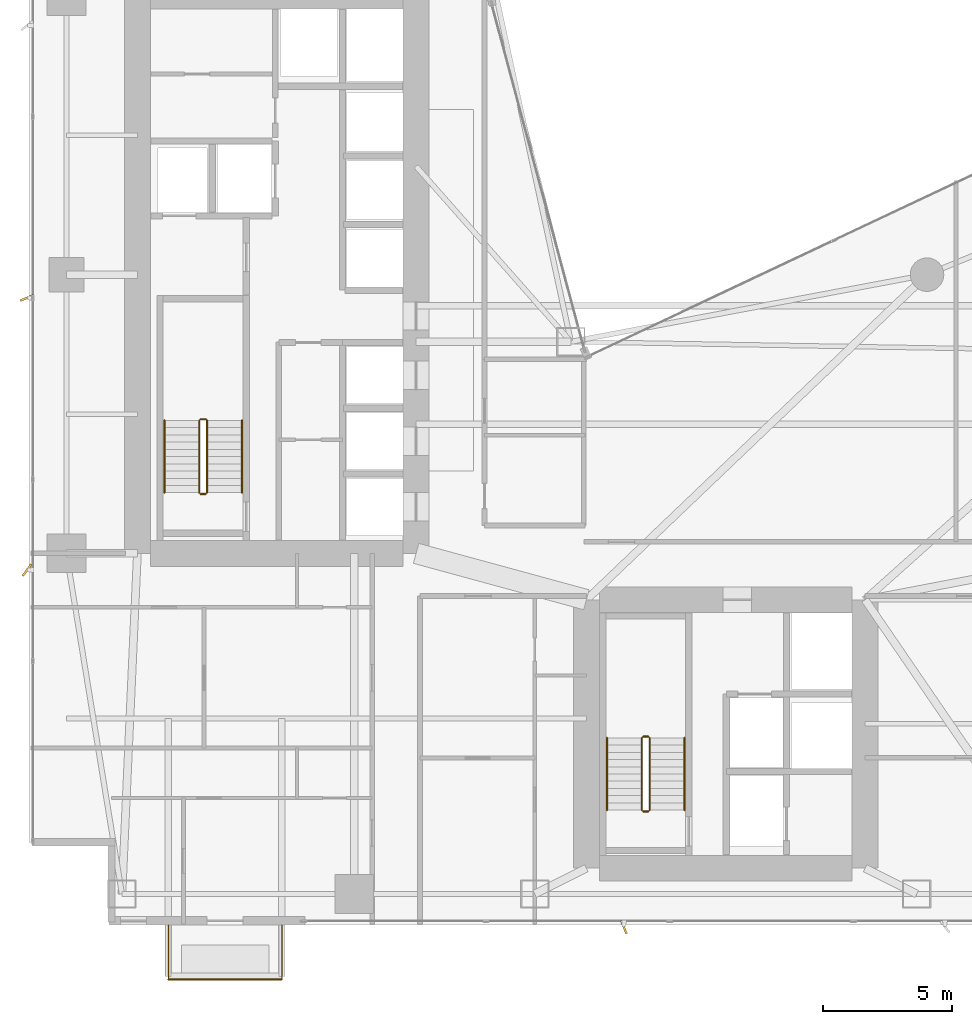
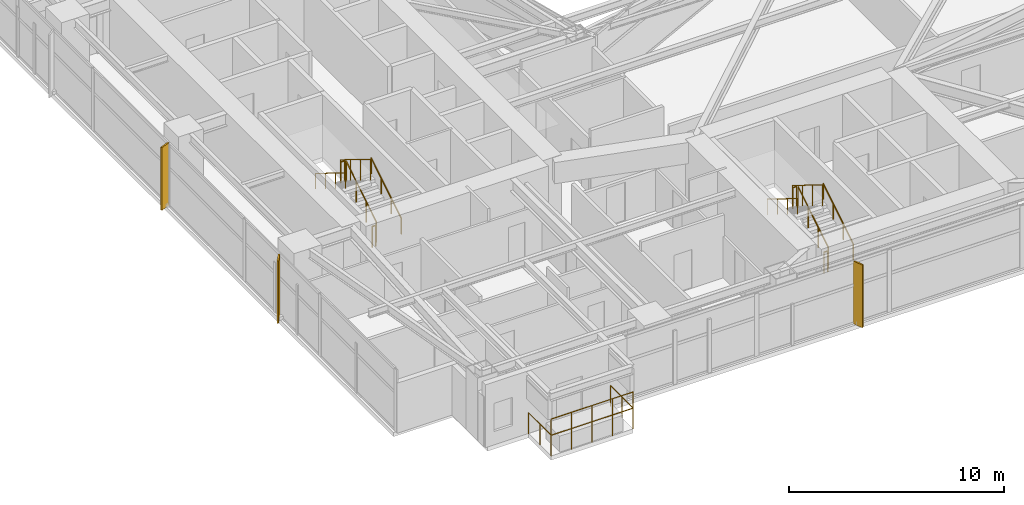
# One storey, part 28 of 29: 14 railings, 3 shading devices.
"""IFC4 building model written with IfcOpenShell, lengths in metres."""

from ifc_helpers import new_model, si_unit, direction, frame, origin, origin_2d, place, context, subcontext, project, spatial, rectangle, circle, extrude, material, type_object, element, save


model = new_model("IFC4")

# Units and contexts
model_context = context("Model", 3, precision=1e-05, world=origin(), true_north=direction((0.0, 1.0)))
body_context = subcontext(model_context, "Body", "Model", "MODEL_VIEW")
ifc_project = project(units=[si_unit("LENGTHUNIT", "METRE"), si_unit("AREAUNIT", "SQUARE_METRE"), si_unit("VOLUMEUNIT", "CUBIC_METRE"), si_unit("PLANEANGLEUNIT", "RADIAN"), si_unit("MASSUNIT", "GRAM", prefix="KILO")], contexts=[model_context])

# Site, building, storey
site_placement = place(None, origin())
site = spatial("IfcSite", under=ifc_project, at=site_placement, CompositionType="ELEMENT")
building_placement = place(site_placement, origin())
building = spatial("IfcBuilding", under=site, at=building_placement, Name="Calvorn Quay Hotel", CompositionType="ELEMENT")
storey_placement = place(building_placement, frame((0.0, 0.0, 66.0)))
storey = spatial("IfcBuildingStorey", under=building, at=storey_placement, Name="L15", CompositionType="ELEMENT", Elevation=66.0)

# Railings
ifc_material_1 = material(Name="Pale Anodised Aluminium and Laminated Glass", Category="aluminium")
railing_type_1 = type_object("IfcRailingType", Name="RLG-BALUSTRADE-1200", PredefinedType="BALUSTRADE", material=ifc_material_1)
railing_1_placement = place(storey_placement, frame((5.39990234375, 2.389892578125, 0.0)))
element("IfcRailing", 1, at=railing_1_placement, inside=storey, type_object=railing_type_1, Name="Tree Balcony Perimeter Balustrade L15-BALC-S", PredefinedType="BALUSTRADE", context=body_context, shape_type="SweptSolid", body=[
    extrude(circle(Radius=0.02392578125, at=origin_2d()), frame((0.0, 0.0, 1.17578125), z_axis=(0.0, -1.0, 0.0), x_axis=(1.0, 0.0, 0.0)), (0.0, 0.0, 1.0), 2.099853515625),
    extrude(circle(Radius=0.02392578125, at=origin_2d()), frame((0.0, -2.099853515625, 1.17578125), z_axis=(1.0, 0.0, 0.0), x_axis=(0.0, 1.0, 0.0)), (0.0, 0.0, 1.0), 4.400146484375),
    extrude(circle(Radius=0.02392578125, at=origin_2d()), frame((4.400146484375, -2.099853515625, 1.17578125), z_axis=(0.0, 1.0, 0.0), x_axis=(-1.0, 0.0, 0.0)), (0.0, 0.0, 1.0), 2.099853515625),
    extrude(circle(Radius=0.02099609375, at=origin_2d()), origin(), (0.0, 0.0, 1.0), 1.15185546875),
    extrude(circle(Radius=0.02099609375, at=origin_2d()), frame((0.0, -1.0498046875, 0.0)), (0.0, 0.0, 1.0), 1.15185546875),
    extrude(circle(Radius=0.02099609375, at=origin_2d()), frame((0.0, -2.099853515625, 0.0)), (0.0, 0.0, 1.0), 1.15185546875),
    extrude(circle(Radius=0.02099609375, at=origin_2d()), frame((1.10009765625, -2.099853515625, 0.0)), (0.0, 0.0, 1.0), 1.15185546875),
    extrude(circle(Radius=0.02099609375, at=origin_2d()), frame((2.2001953125, -2.099853515625, 0.0)), (0.0, 0.0, 1.0), 1.15185546875),
    extrude(circle(Radius=0.02099609375, at=origin_2d()), frame((3.300048828125, -2.099853515625, 0.0)), (0.0, 0.0, 1.0), 1.15185546875),
    extrude(circle(Radius=0.02099609375, at=origin_2d()), frame((4.400146484375, -2.099853515625, 0.0)), (0.0, 0.0, 1.0), 1.15185546875),
    extrude(circle(Radius=0.02099609375, at=origin_2d()), frame((4.400146484375, -1.0498046875, 0.0)), (0.0, 0.0, 1.0), 1.15185546875),
    extrude(circle(Radius=0.02099609375, at=origin_2d()), frame((4.400146484375, 0.0, 0.0)), (0.0, 0.0, 1.0), 1.15185546875),
])
railing_2_placement = place(storey_placement, frame((5.39990234375, 0.2900390625, 0.89990234375)))
element("IfcRailing", 2, at=railing_2_placement, inside=storey, type_object=railing_type_1, Name="Planter Kerb High Safety Screen L15-BALC-S", PredefinedType="BALUSTRADE", context=body_context, shape_type="SweptSolid", body=[
    extrude(circle(Radius=0.02392578125, at=origin_2d()), frame((0.0, 0.0, 1.19580078125), z_axis=(1.0, 0.0, 0.0), x_axis=(0.0, 1.0, 0.0)), (0.0, 0.0, 1.0), 4.400146484375),
    extrude(circle(Radius=0.02099609375, at=origin_2d()), origin(), (0.0, 0.0, 1.0), 1.171875),
    extrude(circle(Radius=0.02099609375, at=origin_2d()), frame((1.10009765625, 0.0, 0.0)), (0.0, 0.0, 1.0), 1.171875),
    extrude(circle(Radius=0.02099609375, at=origin_2d()), frame((2.2001953125, 0.0, 0.0)), (0.0, 0.0, 1.0), 1.171875),
    extrude(circle(Radius=0.02099609375, at=origin_2d()), frame((3.300048828125, 0.0, 0.0)), (0.0, 0.0, 1.0), 1.171875),
    extrude(circle(Radius=0.02099609375, at=origin_2d()), frame((4.400146484375, 0.0, 0.0)), (0.0, 0.0, 1.0), 1.171875),
])
ifc_material_2 = material(Name="Brushed Stainless Steel Handrail", Category="steel")
railing_type_2 = type_object("IfcRailingType", Name="RLG-HANDRAIL-900", PredefinedType="HANDRAIL", material=ifc_material_2)
railing_3_placement = place(storey_placement, frame((8.25, 19.14990234375, 0.172607421875)))
element("IfcRailing", 3, at=railing_3_placement, inside=storey, type_object=railing_type_2, Name="L15 ST-W stair handrail 1", PredefinedType="HANDRAIL", context=body_context, shape_type="SweptSolid", body=[
    extrude(circle(Radius=0.02392578125, at=origin_2d()), frame((0.0, 0.0, 0.8759765625), z_axis=(0.0, 0.851089632645, 0.525020415988), x_axis=(-1.0, 0.0, 0.0)), (0.0, 0.0, 1.0), 3.2900390625),
    extrude(circle(Radius=0.02099609375, at=origin_2d()), origin(), (0.0, 0.0, 1.0), 0.851806640625),
    extrude(circle(Radius=0.02099609375, at=origin_2d()), frame((0.0, 0.933349609375, 0.57568359375)), (0.0, 0.0, 1.0), 0.851806640625),
    extrude(circle(Radius=0.02099609375, at=origin_2d()), frame((0.0, 1.86669921875, 1.151611328125)), (0.0, 0.0, 1.0), 0.851806640625),
    extrude(circle(Radius=0.02099609375, at=origin_2d()), frame((0.0, 2.800048828125, 1.727294921875)), (0.0, 0.0, 1.0), 0.851806640625),
])
railing_4_placement = place(storey_placement, frame((5.25, 21.949951171875, 2.07275390625)))
element("IfcRailing", 4, at=railing_4_placement, inside=storey, type_object=railing_type_2, Name="L15 ST-W stair handrail 2", PredefinedType="HANDRAIL", context=body_context, shape_type="SweptSolid", body=[
    extrude(circle(Radius=0.02392578125, at=origin_2d()), frame((0.0, 0.0, 0.8759765625), z_axis=(0.0, -0.851089632645, 0.525020415988), x_axis=(1.0, 0.0, 0.0)), (0.0, 0.0, 1.0), 3.2900390625),
    extrude(circle(Radius=0.02099609375, at=origin_2d()), origin(), (0.0, 0.0, 1.0), 0.851806640625),
    extrude(circle(Radius=0.02099609375, at=origin_2d()), frame((0.0, -0.933349609375, 0.57568359375)), (0.0, 0.0, 1.0), 0.851806640625),
    extrude(circle(Radius=0.02099609375, at=origin_2d()), frame((0.0, -1.86669921875, 1.151611328125)), (0.0, 0.0, 1.0), 0.851806640625),
    extrude(circle(Radius=0.02099609375, at=origin_2d()), frame((0.0, -2.800048828125, 1.727294921875)), (0.0, 0.0, 1.0), 0.851806640625),
])
railing_5_placement = place(storey_placement, frame((25.39990234375, 6.85009765625, 0.172607421875)))
element("IfcRailing", 5, at=railing_5_placement, inside=storey, type_object=railing_type_2, Name="L15 ST-E stair handrail 1", PredefinedType="HANDRAIL", context=body_context, shape_type="SweptSolid", body=[
    extrude(circle(Radius=0.02392578125, at=origin_2d()), frame((0.0, 0.0, 0.8759765625), z_axis=(0.0, 0.851069175582, 0.525053576669), x_axis=(-1.0, 0.0, 0.0)), (0.0, 0.0, 1.0), 3.289794921875),
    extrude(circle(Radius=0.02099609375, at=origin_2d()), origin(), (0.0, 0.0, 1.0), 0.851806640625),
    extrude(circle(Radius=0.02099609375, at=origin_2d()), frame((0.0, 0.933349609375, 0.57568359375)), (0.0, 0.0, 1.0), 0.851806640625),
    extrude(circle(Radius=0.02099609375, at=origin_2d()), frame((0.0, 1.866455078125, 1.151611328125)), (0.0, 0.0, 1.0), 0.851806640625),
    extrude(circle(Radius=0.02099609375, at=origin_2d()), frame((0.0, 2.7998046875, 1.727294921875)), (0.0, 0.0, 1.0), 0.851806640625),
])
railing_6_placement = place(storey_placement, frame((22.39990234375, 9.64990234375, 2.07275390625)))
element("IfcRailing", 6, at=railing_6_placement, inside=storey, type_object=railing_type_2, Name="L15 ST-E stair handrail 2", PredefinedType="HANDRAIL", context=body_context, shape_type="SweptSolid", body=[
    extrude(circle(Radius=0.02392578125, at=origin_2d()), frame((0.0, 0.0, 0.8759765625), z_axis=(0.0, -0.851069175582, 0.525053576669), x_axis=(1.0, 0.0, 0.0)), (0.0, 0.0, 1.0), 3.289794921875),
    extrude(circle(Radius=0.02099609375, at=origin_2d()), origin(), (0.0, 0.0, 1.0), 0.851806640625),
    extrude(circle(Radius=0.02099609375, at=origin_2d()), frame((0.0, -0.933349609375, 0.57568359375)), (0.0, 0.0, 1.0), 0.851806640625),
    extrude(circle(Radius=0.02099609375, at=origin_2d()), frame((0.0, -1.866455078125, 1.151611328125)), (0.0, 0.0, 1.0), 0.851806640625),
    extrude(circle(Radius=0.02099609375, at=origin_2d()), frame((0.0, -2.7998046875, 1.727294921875)), (0.0, 0.0, 1.0), 0.851806640625),
])
ifc_material_3 = material(Name="Painted Galvanised Steel Balustrade", Category="steel")
railing_type_3 = type_object("IfcRailingType", Name="RLG-STAIR-GUARD-1120", PredefinedType="GUARDRAIL", material=ifc_material_3)
railing_7_placement = place(storey_placement, frame((6.89990234375, 19.14990234375, 0.172607421875)))
element("IfcRailing", 7, at=railing_7_placement, inside=storey, type_object=railing_type_3, Name="L15 ST-W stair guard 1", PredefinedType="GUARDRAIL", context=body_context, shape_type="SweptSolid", body=[
    extrude(circle(Radius=0.02392578125, at=origin_2d()), frame((0.0, 0.0, 1.17578125), z_axis=(0.0, 0.851089632645, 0.525020415988), x_axis=(-1.0, 0.0, 0.0)), (0.0, 0.0, 1.0), 3.2900390625),
    extrude(circle(Radius=0.02099609375, at=origin_2d()), origin(), (0.0, 0.0, 1.0), 1.15185546875),
    extrude(circle(Radius=0.02099609375, at=origin_2d()), frame((0.0, 0.933349609375, 0.57568359375)), (0.0, 0.0, 1.0), 1.15185546875),
    extrude(circle(Radius=0.02099609375, at=origin_2d()), frame((0.0, 1.86669921875, 1.151611328125)), (0.0, 0.0, 1.0), 1.15185546875),
    extrude(circle(Radius=0.02099609375, at=origin_2d()), frame((0.0, 2.800048828125, 1.727294921875)), (0.0, 0.0, 1.0), 1.15185546875),
])
railing_8_placement = place(storey_placement, frame((6.85009765625, 22.0, 1.89990234375)))
element("IfcRailing", 8, at=railing_8_placement, inside=storey, type_object=railing_type_3, Name="L15 ST-W stair guard 2", PredefinedType="GUARDRAIL", context=body_context, shape_type="SweptSolid", body=[
    extrude(circle(Radius=0.02392578125, at=origin_2d()), frame((0.0, 0.0, 1.17578125), z_axis=(-1.0, 0.0, 0.0), x_axis=(0.0, -1.0, 0.0)), (0.0, 0.0, 1.0), 0.2001953125),
    extrude(circle(Radius=0.02099609375, at=origin_2d()), origin(), (0.0, 0.0, 1.0), 1.15185546875),
    extrude(circle(Radius=0.02099609375, at=origin_2d()), frame((-0.2001953125, 0.0, 0.0)), (0.0, 0.0, 1.0), 1.15185546875),
])
railing_9_placement = place(storey_placement, frame((6.60009765625, 21.949951171875, 2.07275390625)))
element("IfcRailing", 9, at=railing_9_placement, inside=storey, type_object=railing_type_3, Name="L15 ST-W stair guard 3", PredefinedType="GUARDRAIL", context=body_context, shape_type="SweptSolid", body=[
    extrude(circle(Radius=0.02392578125, at=origin_2d()), frame((0.0, 0.0, 1.17578125), z_axis=(0.0, -0.851089632645, 0.525020415988), x_axis=(1.0, 0.0, 0.0)), (0.0, 0.0, 1.0), 3.2900390625),
    extrude(circle(Radius=0.02099609375, at=origin_2d()), origin(), (0.0, 0.0, 1.0), 1.15185546875),
    extrude(circle(Radius=0.02099609375, at=origin_2d()), frame((0.0, -0.933349609375, 0.57568359375)), (0.0, 0.0, 1.0), 1.15185546875),
    extrude(circle(Radius=0.02099609375, at=origin_2d()), frame((0.0, -1.86669921875, 1.151611328125)), (0.0, 0.0, 1.0), 1.15185546875),
    extrude(circle(Radius=0.02099609375, at=origin_2d()), frame((0.0, -2.800048828125, 1.727294921875)), (0.0, 0.0, 1.0), 1.15185546875),
])
railing_10_placement = place(storey_placement, frame((6.85009765625, 19.10009765625, 0.0)))
element("IfcRailing", 10, at=railing_10_placement, inside=storey, type_object=railing_type_3, Name="L15 ST-W stair guard 4", PredefinedType="GUARDRAIL", context=body_context, shape_type="SweptSolid", body=[
    extrude(circle(Radius=0.02392578125, at=origin_2d()), frame((0.0, 0.0, 1.17578125), z_axis=(-1.0, 0.0, 0.0), x_axis=(0.0, -1.0, 0.0)), (0.0, 0.0, 1.0), 0.2001953125),
    extrude(circle(Radius=0.02099609375, at=origin_2d()), origin(), (0.0, 0.0, 1.0), 1.15185546875),
    extrude(circle(Radius=0.02099609375, at=origin_2d()), frame((-0.2001953125, 0.0, 0.0)), (0.0, 0.0, 1.0), 1.15185546875),
])
railing_11_placement = place(storey_placement, frame((24.050048828125, 6.85009765625, 0.172607421875)))
element("IfcRailing", 11, at=railing_11_placement, inside=storey, type_object=railing_type_3, Name="L15 ST-E stair guard 1", PredefinedType="GUARDRAIL", context=body_context, shape_type="SweptSolid", body=[
    extrude(circle(Radius=0.02392578125, at=origin_2d()), frame((0.0, 0.0, 1.17578125), z_axis=(0.0, 0.851069175582, 0.525053576669), x_axis=(-1.0, 0.0, 0.0)), (0.0, 0.0, 1.0), 3.289794921875),
    extrude(circle(Radius=0.02099609375, at=origin_2d()), origin(), (0.0, 0.0, 1.0), 1.15185546875),
    extrude(circle(Radius=0.02099609375, at=origin_2d()), frame((0.0, 0.933349609375, 0.57568359375)), (0.0, 0.0, 1.0), 1.15185546875),
    extrude(circle(Radius=0.02099609375, at=origin_2d()), frame((0.0, 1.866455078125, 1.151611328125)), (0.0, 0.0, 1.0), 1.15185546875),
    extrude(circle(Radius=0.02099609375, at=origin_2d()), frame((0.0, 2.7998046875, 1.727294921875)), (0.0, 0.0, 1.0), 1.15185546875),
])
railing_12_placement = place(storey_placement, frame((24.0, 9.699951171875, 1.89990234375)))
element("IfcRailing", 12, at=railing_12_placement, inside=storey, type_object=railing_type_3, Name="L15 ST-E stair guard 2", PredefinedType="GUARDRAIL", context=body_context, shape_type="SweptSolid", body=[
    extrude(circle(Radius=0.02392578125, at=origin_2d()), frame((0.0, 0.0, 1.17578125), z_axis=(-1.0, 0.0, 0.0), x_axis=(0.0, -1.0, 0.0)), (0.0, 0.0, 1.0), 0.199951171875),
    extrude(circle(Radius=0.02099609375, at=origin_2d()), origin(), (0.0, 0.0, 1.0), 1.15185546875),
    extrude(circle(Radius=0.02099609375, at=origin_2d()), frame((-0.199951171875, 0.0, 0.0)), (0.0, 0.0, 1.0), 1.15185546875),
])
railing_13_placement = place(storey_placement, frame((23.75, 9.64990234375, 2.07275390625)))
element("IfcRailing", 13, at=railing_13_placement, inside=storey, type_object=railing_type_3, Name="L15 ST-E stair guard 3", PredefinedType="GUARDRAIL", context=body_context, shape_type="SweptSolid", body=[
    extrude(circle(Radius=0.02392578125, at=origin_2d()), frame((0.0, 0.0, 1.17578125), z_axis=(0.0, -0.851069175582, 0.525053576669), x_axis=(1.0, 0.0, 0.0)), (0.0, 0.0, 1.0), 3.289794921875),
    extrude(circle(Radius=0.02099609375, at=origin_2d()), origin(), (0.0, 0.0, 1.0), 1.15185546875),
    extrude(circle(Radius=0.02099609375, at=origin_2d()), frame((0.0, -0.933349609375, 0.57568359375)), (0.0, 0.0, 1.0), 1.15185546875),
    extrude(circle(Radius=0.02099609375, at=origin_2d()), frame((0.0, -1.866455078125, 1.151611328125)), (0.0, 0.0, 1.0), 1.15185546875),
    extrude(circle(Radius=0.02099609375, at=origin_2d()), frame((0.0, -2.7998046875, 1.727294921875)), (0.0, 0.0, 1.0), 1.15185546875),
])
railing_14_placement = place(storey_placement, frame((24.0, 6.800048828125, 0.0)))
element("IfcRailing", 14, at=railing_14_placement, inside=storey, type_object=railing_type_3, Name="L15 ST-E stair guard 4", PredefinedType="GUARDRAIL", context=body_context, shape_type="SweptSolid", body=[
    extrude(circle(Radius=0.02392578125, at=origin_2d()), frame((0.0, 0.0, 1.17578125), z_axis=(-1.0, 0.0, 0.0), x_axis=(0.0, -1.0, 0.0)), (0.0, 0.0, 1.0), 0.199951171875),
    extrude(circle(Radius=0.02099609375, at=origin_2d()), origin(), (0.0, 0.0, 1.0), 1.15185546875),
    extrude(circle(Radius=0.02099609375, at=origin_2d()), frame((-0.199951171875, 0.0, 0.0)), (0.0, 0.0, 1.0), 1.15185546875),
])

# Shading devices
ifc_material_4 = material(Name="Champagne Bronze Anodised Aluminium 6063-T6", Category="aluminium")
shading_device_type_1 = type_object("IfcShadingDeviceType", Name="SHD-FIN-A1", PredefinedType="USERDEFINED", material=ifc_material_4)
for number, where, z_axis, x_axis, name in (
    (15, (-0.080078125, 26.699951171875, 0.0), (0.0, 0.0, 1.0), (0.927183854567, 0.374606593416, 0.0), "Diagonal Sun-Shading Fin L15-W02"),
    (16, (23.050048828125, 2.320068359375, 0.0), (0.0, 0.0, 1.0), (-0.374606593416, 0.927183854567, 0.0), "Diagonal Sun-Shading Fin L15-S01"),
):
    element("IfcShadingDevice", number, at=place(storey_placement, frame(where, z_axis=z_axis, x_axis=x_axis)), inside=storey, type_object=shading_device_type_1, Name=name, ObjectType="FIN", PredefinedType="USERDEFINED", context=body_context, shape_type="SweptSolid", body=[
        extrude(rectangle(XDim=0.550048828125, YDim=0.080078125, at=origin_2d()), origin(), (0.0, 0.0, 1.0), 3.56005859375),
    ])
ifc_material_5 = material(Name="Champagne Bronze Anodised Aluminium 6063-T6", Category="aluminium")
shading_device_type_2 = type_object("IfcShadingDeviceType", Name="SHD-FIN-A3", PredefinedType="USERDEFINED", material=ifc_material_5)
shading_device_placement = place(storey_placement, frame((-0.080078125, 16.14990234375, 0.0), z_axis=(0.0, 0.0, 1.0), x_axis=(0.587785252292, 0.809016994375, 0.0)))
element("IfcShadingDevice", 17, at=shading_device_placement, inside=storey, type_object=shading_device_type_2, Name="Diagonal Sun-Shading Fin L15-W01", ObjectType="FIN", PredefinedType="USERDEFINED", context=body_context, shape_type="SweptSolid", body=[
    extrude(rectangle(XDim=0.550048828125, YDim=0.080078125, at=origin_2d()), origin(), (0.0, 0.0, 1.0), 3.56005859375),
])

save(model, "model.ifc")
